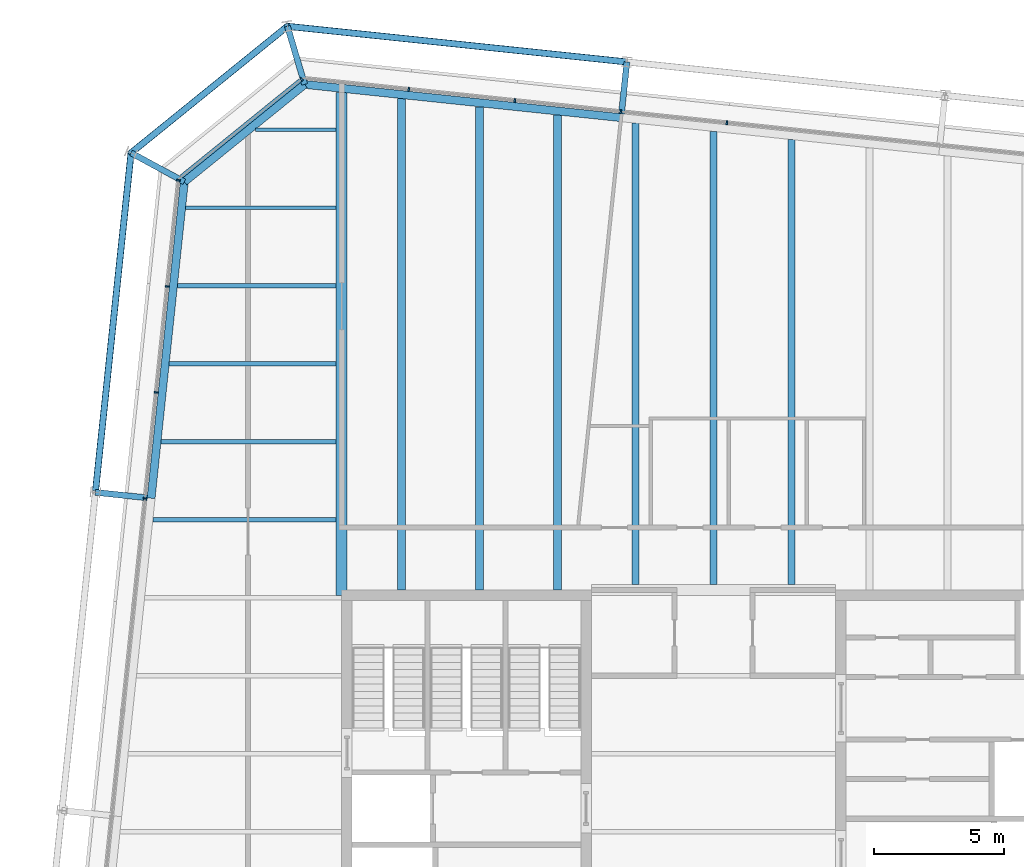
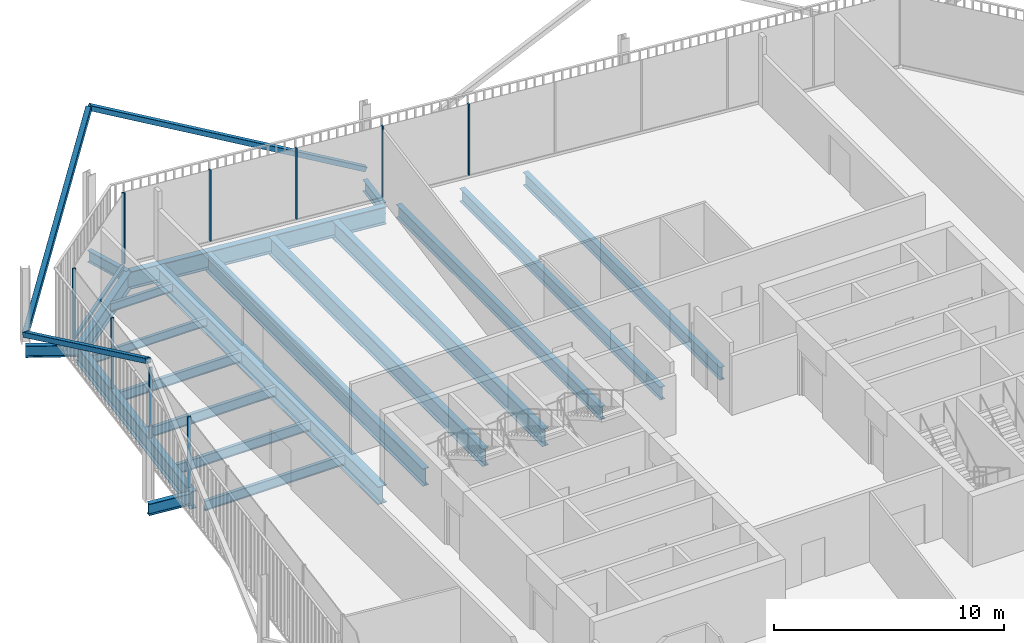
# One storey, part 12 of 21: 20 beams, 13 members, 3 elements without a shape of their own.
"""IFC4 building model written with IfcOpenShell, lengths in metres."""

from ifc_helpers import new_model, si_unit, direction, frame, origin, origin_2d, place, context, subcontext, project, spatial, rectangle, hollow_rectangle, i_section, extrude, material, layer, layer_set, material_profile, profile_set, type_object, element, aggregate, save


model = new_model("IFC4")

# Units and contexts
model_context = context("Model", 3, precision=1e-05, world=origin(), true_north=direction((0.0, 1.0)))
body_context = subcontext(model_context, "Body", "Model", "MODEL_VIEW")
ifc_project = project(units=[si_unit("LENGTHUNIT", "METRE"), si_unit("AREAUNIT", "SQUARE_METRE"), si_unit("VOLUMEUNIT", "CUBIC_METRE"), si_unit("PLANEANGLEUNIT", "RADIAN"), si_unit("MASSUNIT", "GRAM", prefix="KILO")], contexts=[model_context])

# Site, building, storey
site_placement = place(None, origin())
site = spatial("IfcSite", under=ifc_project, at=site_placement, CompositionType="ELEMENT")
building_placement = place(site_placement, origin())
building = spatial("IfcBuilding", under=site, at=building_placement, Name="Millrace Tower", CompositionType="ELEMENT")
storey_placement = place(building_placement, frame((0.0, 0.0, 318.699951171875)))
storey = spatial("IfcBuildingStorey", under=building, at=storey_placement, Name="L73", CompositionType="ELEMENT", Elevation=318.699951171875)

# Curtain wall, members
ifc_material_1 = material(Name="Aluminium and glass", Category="aluminium")
ifc_layer = layer(ifc_material_1, 0.14990234375)
ifc_layer_set = layer_set([ifc_layer], Name="Aluminium and glass")
curtain_wall_type = type_object("IfcCurtainWallType", Name="CW-1 office vision curtain wall", PredefinedType="NOTDEFINED", material=ifc_layer_set)
placement = place(storey_placement, origin())
curtain_wall_1 = element("IfcCurtainWall", 1, at=placement, inside=storey, type_object=curtain_wall_type, Name="Curtain wall E-F06 L73", PredefinedType="NOTDEFINED")
ifc_material_2 = material(Name="Aluminium", Category="aluminium")
ifc_material_profile_1 = material_profile(ifc_material_2, rectangle(XDim=0.06494140625, YDim=0.14990234375, at=origin_2d()))
ifc_profile_set_1 = profile_set([ifc_material_profile_1], Name="Aluminium")
member_type_1 = type_object("IfcMemberType", Name="CW-1 office vision curtain wall mullion", PredefinedType="MULLION", material=ifc_profile_set_1)
member_1_placement = place(storey_placement, frame((0.514892578125, 27.267578125, 0.14013671875), z_axis=(0.0, 0.0, 1.0), x_axis=(-0.994521896217, 0.104528455196, 0.0)))
member_1 = element("IfcMember", 2, at=member_1_placement, type_object=member_type_1, Name="CW1 mullion E-F06.6", PredefinedType="MULLION", context=body_context, shape_type="SweptSolid", body=[
    extrude(rectangle(XDim=0.06494140625, YDim=0.14990234375, at=origin_2d()), origin(), (0.0, 0.0, 1.0), 3.760009765625),
])
member_2_placement = place(storey_placement, frame((-3.562744140625, 27.6962890625, 0.14013671875), z_axis=(0.0, 0.0, 1.0), x_axis=(-0.994521896217, 0.104528455196, 0.0)))
member_2 = element("IfcMember", 3, at=member_2_placement, type_object=member_type_1, Name="CW1 mullion E-F06.7", PredefinedType="MULLION", context=body_context, shape_type="SweptSolid", body=[
    extrude(rectangle(XDim=0.06494140625, YDim=0.14990234375, at=origin_2d()), origin(), (0.0, 0.0, 1.0), 3.760009765625),
])
member_3_placement = place(storey_placement, frame((-7.640380859375, 28.124755859375, 0.14013671875), z_axis=(0.0, 0.0, 1.0), x_axis=(-0.994521896217, 0.104528455196, 0.0)))
member_3 = element("IfcMember", 4, at=member_3_placement, type_object=member_type_1, Name="CW1 mullion E-F06.8", PredefinedType="MULLION", context=body_context, shape_type="SweptSolid", body=[
    extrude(rectangle(XDim=0.06494140625, YDim=0.14990234375, at=origin_2d()), origin(), (0.0, 0.0, 1.0), 3.760009765625),
])
member_4_placement = place(storey_placement, frame((-11.7177734375, 28.55322265625, 0.14013671875), z_axis=(0.0, 0.0, 1.0), x_axis=(-0.994521896217, 0.104528455196, 0.0)))
member_4 = element("IfcMember", 5, at=member_4_placement, type_object=member_type_1, Name="CW1 mullion E-F06.9", PredefinedType="MULLION", context=body_context, shape_type="SweptSolid", body=[
    extrude(rectangle(XDim=0.06494140625, YDim=0.14990234375, at=origin_2d()), origin(), (0.0, 0.0, 1.0), 3.760009765625),
])
aggregate(curtain_wall_1, [member_1, member_2, member_3, member_4])

# Curtain wall, member
curtain_wall_2 = element("IfcCurtainWall", 6, at=placement, inside=storey, type_object=curtain_wall_type, Name="Curtain wall E-F07 L73", PredefinedType="NOTDEFINED")
member_5_placement = place(storey_placement, frame((-15.84326171875, 28.941650390625, 0.14013671875), z_axis=(0.0, 0.0, 1.0), x_axis=(-0.777146052237, -0.629320278945, 0.0)))
member_5 = element("IfcMember", 7, at=member_5_placement, type_object=member_type_1, Name="CW1 mullion E-F07.1", PredefinedType="MULLION", context=body_context, shape_type="SweptSolid", body=[
    extrude(rectangle(XDim=0.06494140625, YDim=0.14990234375, at=origin_2d()), origin(), (0.0, 0.0, 1.0), 3.760009765625),
])

# Curtain wall, members
curtain_wall_3 = element("IfcCurtainWall", 8, at=placement, inside=storey, type_object=curtain_wall_type, Name="Curtain wall E-F08 L73", PredefinedType="NOTDEFINED")
member_6_placement = place(storey_placement, frame((-20.57470703125, 25.052490234375, 0.14013671875), z_axis=(0.0, 0.0, 1.0), x_axis=(-0.104528455196, -0.994521896217, 0.0)))
member_6 = element("IfcMember", 9, at=member_6_placement, type_object=member_type_1, Name="CW1 mullion E-F08.1", PredefinedType="MULLION", context=body_context, shape_type="SweptSolid", body=[
    extrude(rectangle(XDim=0.06494140625, YDim=0.14990234375, at=origin_2d()), origin(), (0.0, 0.0, 1.0), 3.760009765625),
])
member_7_placement = place(storey_placement, frame((-21.00341796875, 20.974853515625, 0.14013671875), z_axis=(0.0, 0.0, 1.0), x_axis=(-0.104528455196, -0.994521896217, 0.0)))
member_7 = element("IfcMember", 10, at=member_7_placement, type_object=member_type_1, Name="CW1 mullion E-F08.2", PredefinedType="MULLION", context=body_context, shape_type="SweptSolid", body=[
    extrude(rectangle(XDim=0.06494140625, YDim=0.14990234375, at=origin_2d()), origin(), (0.0, 0.0, 1.0), 3.760009765625),
])
member_8_placement = place(storey_placement, frame((-21.431884765625, 16.8974609375, 0.14013671875), z_axis=(0.0, 0.0, 1.0), x_axis=(-0.104528455196, -0.994521896217, 0.0)))
member_8 = element("IfcMember", 11, at=member_8_placement, type_object=member_type_1, Name="CW1 mullion E-F08.3", PredefinedType="MULLION", context=body_context, shape_type="SweptSolid", body=[
    extrude(rectangle(XDim=0.06494140625, YDim=0.14990234375, at=origin_2d()), origin(), (0.0, 0.0, 1.0), 3.760009765625),
])
member_9_placement = place(storey_placement, frame((-21.860595703125, 12.81982421875, 0.14013671875), z_axis=(0.0, 0.0, 1.0), x_axis=(-0.104528455196, -0.994521896217, 0.0)))
member_9 = element("IfcMember", 12, at=member_9_placement, type_object=member_type_1, Name="CW1 mullion E-F08.4", PredefinedType="MULLION", context=body_context, shape_type="SweptSolid", body=[
    extrude(rectangle(XDim=0.06494140625, YDim=0.14990234375, at=origin_2d()), origin(), (0.0, 0.0, 1.0), 3.760009765625),
])
aggregate(curtain_wall_3, [member_6, member_7, member_8, member_9])

# Member
ifc_material_3 = material(Name="Aluminium", Category="aluminium")
ifc_material_profile_2 = material_profile(ifc_material_3, rectangle(XDim=0.14990234375, YDim=0.139892578125, at=origin_2d()))
ifc_profile_set_2 = profile_set([ifc_material_profile_2], Name="Aluminium")
member_type_2 = type_object("IfcMemberType", Name="CW-1 office vision curtain wall transom", PredefinedType="USERDEFINED", material=ifc_profile_set_2)
member_10_placement = place(storey_placement, frame((-15.895751953125, 28.899169921875, 0.070068359375), z_axis=(-0.777165591695, -0.629296148951, 0.0), x_axis=(0.629296148951, -0.777165591695, 0.0)))
member_10 = element("IfcMember", 13, at=member_10_placement, type_object=member_type_2, Name="CW1 transom E-F07.1", ObjectType="TRANSOM", PredefinedType="USERDEFINED", context=body_context, shape_type="SweptSolid", body=[
    extrude(rectangle(XDim=0.14990234375, YDim=0.139892578125, at=origin_2d()), origin(), (0.0, 0.0, 1.0), 5.881103515625),
])

aggregate(curtain_wall_2, [member_5, member_10])

# Members
ifc_material_4 = material(Name="Steel ASTM A500 Grade C", Category="steel")
ifc_material_profile_3 = material_profile(ifc_material_4, hollow_rectangle(XDim=0.25390625, YDim=0.25390625, WallThickness=0.009521484375, InnerFilletRadius=0.004638671875, OuterFilletRadius=0.014404296875, at=origin_2d()))
ifc_profile_set_3 = profile_set([ifc_material_profile_3], Name="Steel ASTM A500 Grade C")
member_type_3 = type_object("IfcMemberType", Name="Exoskeleton brace HSS10x10x3/8", PredefinedType="BRACE", material=ifc_profile_set_3)
member_11_placement = place(storey_placement, frame((-3.329345703125, 29.607177734375, 0.400146484375), z_axis=(-0.877568210125, 0.092238278747, 0.470495628578), x_axis=(-0.104530865473, -0.994521642883, 0.0)))
element("IfcMember", 14, at=member_11_placement, inside=storey, type_object=member_type_3, Name="BRC-E-L73-12", PredefinedType="BRACE", context=body_context, shape_type="SweptSolid", body=[
    extrude(hollow_rectangle(XDim=0.25390625, YDim=0.25390625, WallThickness=0.009521484375, InnerFilletRadius=0.004638671875, OuterFilletRadius=0.014404296875, at=origin_2d()), origin(), (0.0, 0.0, 1.0), 14.8779296875),
])
member_12_placement = place(storey_placement, frame((-22.399169921875, 26.10986328125, 0.400146484375), z_axis=(0.57631352586, 0.466694392708, 0.670864415308), x_axis=(-0.62932438279, 0.777142728993, 0.0)))
element("IfcMember", 15, at=member_12_placement, inside=storey, type_object=member_type_3, Name="BRC-E-L73-13", PredefinedType="BRACE", context=body_context, shape_type="SweptSolid", body=[
    extrude(hollow_rectangle(XDim=0.25390625, YDim=0.25390625, WallThickness=0.009521484375, InnerFilletRadius=0.004638671875, OuterFilletRadius=0.014404296875, at=origin_2d()), origin(), (0.0, 0.0, 1.0), 10.434326171875),
])
member_13_placement = place(storey_placement, frame((-22.399169921875, 26.10986328125, 0.400146484375), z_axis=(-0.092238278747, -0.877568210125, 0.470495628578), x_axis=(0.994521642883, -0.104530865473, 0.0)))
element("IfcMember", 16, at=member_13_placement, inside=storey, type_object=member_type_3, Name="BRC-E-L73-14", PredefinedType="BRACE", context=body_context, shape_type="SweptSolid", body=[
    extrude(hollow_rectangle(XDim=0.25390625, YDim=0.25390625, WallThickness=0.009521484375, InnerFilletRadius=0.004638671875, OuterFilletRadius=0.014404296875, at=origin_2d()), origin(), (0.0, 0.0, 1.0), 14.8779296875),
])

# Beams
ifc_material_5 = material(Name="Steel ASTM A992 Grade 50", Category="steel")
ifc_material_profile_4 = material_profile(ifc_material_5, i_section(OverallWidth=0.15234375, OverallDepth=0.449462890625, WebThickness=0.007568359375, FlangeThickness=0.0107421875, FilletRadius=0.01025390625, at=origin_2d()))
ifc_profile_set_4 = profile_set([ifc_material_profile_4], Name="Steel ASTM A992 Grade 50")
beam_type_1 = type_object("IfcBeamType", Name="Floor beam W18x35", PredefinedType="JOIST", material=ifc_profile_set_4)
beam_1_placement = place(storey_placement, frame((-20.301025390625, 24.0, -0.384765625), z_axis=(1.0, 0.0, 0.0), x_axis=(0.0, 1.0, 0.0)))
element("IfcBeam", 17, at=beam_1_placement, inside=storey, type_object=beam_type_1, Name="BM-E-L73-S1-S033", PredefinedType="JOIST", context=body_context, shape_type="SweptSolid", body=[
    extrude(i_section(OverallWidth=0.15234375, OverallDepth=0.449462890625, WebThickness=0.007568359375, FlangeThickness=0.0107421875, FilletRadius=0.01025390625, at=origin_2d()), origin(), (0.0, 0.0, 1.0), 5.79150390625),
])
beam_2_placement = place(storey_placement, frame((-17.609619140625, 27.0, -0.384765625), z_axis=(1.0, 0.0, 0.0), x_axis=(0.0, 1.0, 0.0)))
element("IfcBeam", 18, at=beam_2_placement, inside=storey, type_object=beam_type_1, Name="BM-E-L73-S1-S035", PredefinedType="JOIST", context=body_context, shape_type="SweptSolid", body=[
    extrude(i_section(OverallWidth=0.15234375, OverallDepth=0.449462890625, WebThickness=0.007568359375, FlangeThickness=0.0107421875, FilletRadius=0.01025390625, at=origin_2d()), origin(), (0.0, 0.0, 1.0), 3.10009765625),
])
ifc_material_6 = material(Name="Steel ASTM A992 Grade 50", Category="steel")
ifc_material_profile_5 = material_profile(ifc_material_6, i_section(OverallWidth=0.1650390625, OverallDepth=0.52587890625, WebThickness=0.0087890625, FlangeThickness=0.011474609375, FilletRadius=0.0126953125, at=origin_2d()))
ifc_profile_set_5 = profile_set([ifc_material_profile_5], Name="Steel ASTM A992 Grade 50")
beam_type_2 = type_object("IfcBeamType", Name="Floor beam W21x44", PredefinedType="JOIST", material=ifc_profile_set_5)
beam_3_placement = place(storey_placement, frame((-21.562255859375, 12.0, -0.4228515625), z_axis=(1.0, 0.0, 0.0), x_axis=(0.0, 1.0, 0.0)))
element("IfcBeam", 19, at=beam_3_placement, inside=storey, type_object=beam_type_2, Name="BM-E-L73-S1-S025", PredefinedType="JOIST", context=body_context, shape_type="SweptSolid", body=[
    extrude(i_section(OverallWidth=0.1650390625, OverallDepth=0.52587890625, WebThickness=0.0087890625, FlangeThickness=0.011474609375, FilletRadius=0.0126953125, at=origin_2d()), origin(), (0.0, 0.0, 1.0), 7.052734375),
])
beam_4_placement = place(storey_placement, frame((-21.246826171875, 15.0, -0.4228515625), z_axis=(1.0, 0.0, 0.0), x_axis=(0.0, 1.0, 0.0)))
element("IfcBeam", 20, at=beam_4_placement, inside=storey, type_object=beam_type_2, Name="BM-E-L73-S1-S027", PredefinedType="JOIST", context=body_context, shape_type="SweptSolid", body=[
    extrude(i_section(OverallWidth=0.1650390625, OverallDepth=0.52587890625, WebThickness=0.0087890625, FlangeThickness=0.011474609375, FilletRadius=0.0126953125, at=origin_2d()), origin(), (0.0, 0.0, 1.0), 6.7373046875),
])
beam_5_placement = place(storey_placement, frame((-20.931640625, 18.0, -0.4228515625), z_axis=(1.0, 0.0, 0.0), x_axis=(0.0, 1.0, 0.0)))
element("IfcBeam", 21, at=beam_5_placement, inside=storey, type_object=beam_type_2, Name="BM-E-L73-S1-S029", PredefinedType="JOIST", context=body_context, shape_type="SweptSolid", body=[
    extrude(i_section(OverallWidth=0.1650390625, OverallDepth=0.52587890625, WebThickness=0.0087890625, FlangeThickness=0.011474609375, FilletRadius=0.0126953125, at=origin_2d()), origin(), (0.0, 0.0, 1.0), 6.422119140625),
])
beam_6_placement = place(storey_placement, frame((-20.6162109375, 21.0, -0.4228515625), z_axis=(1.0, 0.0, 0.0), x_axis=(0.0, 1.0, 0.0)))
element("IfcBeam", 22, at=beam_6_placement, inside=storey, type_object=beam_type_2, Name="BM-E-L73-S1-S031", PredefinedType="JOIST", context=body_context, shape_type="SweptSolid", body=[
    extrude(i_section(OverallWidth=0.1650390625, OverallDepth=0.52587890625, WebThickness=0.0087890625, FlangeThickness=0.011474609375, FilletRadius=0.0126953125, at=origin_2d()), origin(), (0.0, 0.0, 1.0), 6.106689453125),
])
ifc_material_7 = material(Name="Steel ASTM A992 Grade 50", Category="steel")
ifc_material_profile_6 = material_profile(ifc_material_7, i_section(OverallWidth=0.256591796875, OverallDepth=0.693359375, WebThickness=0.014404296875, FlangeThickness=0.023681640625, FilletRadius=0.01513671875, at=origin_2d()))
ifc_profile_set_6 = profile_set([ifc_material_profile_6], Name="Steel ASTM A992 Grade 50")
beam_type_3 = type_object("IfcBeamType", Name="Floor beam W27x114", PredefinedType="JOIST", material=ifc_profile_set_6)
beam_7_placement = place(storey_placement, frame((-3.0, 9.509521484375, -0.506591796875), z_axis=(0.0, 1.0, 0.0), x_axis=(-1.0, 0.0, 0.0)))
element("IfcBeam", 23, at=beam_7_placement, inside=storey, type_object=beam_type_3, Name="BM-E-L73-S1-S042", PredefinedType="JOIST", context=body_context, shape_type="SweptSolid", body=[
    extrude(i_section(OverallWidth=0.256591796875, OverallDepth=0.693359375, WebThickness=0.014404296875, FlangeThickness=0.023681640625, FilletRadius=0.01513671875, at=origin_2d()), origin(), (0.0, 0.0, 1.0), 17.7431640625),
])
beam_8_placement = place(storey_placement, frame((0.0, 9.509521484375, -0.506591796875), z_axis=(0.0, 1.0, 0.0), x_axis=(-1.0, 0.0, 0.0)))
element("IfcBeam", 24, at=beam_8_placement, inside=storey, type_object=beam_type_3, Name="BM-E-L73-S1-S044", PredefinedType="JOIST", context=body_context, shape_type="SweptSolid", body=[
    extrude(i_section(OverallWidth=0.256591796875, OverallDepth=0.693359375, WebThickness=0.014404296875, FlangeThickness=0.023681640625, FilletRadius=0.01513671875, at=origin_2d()), origin(), (0.0, 0.0, 1.0), 17.427734375),
])
beam_9_placement = place(storey_placement, frame((3.0, 9.509521484375, -0.506591796875), z_axis=(0.0, 1.0, 0.0), x_axis=(-1.0, 0.0, 0.0)))
element("IfcBeam", 25, at=beam_9_placement, inside=storey, type_object=beam_type_3, Name="BM-E-L73-S1-S046", PredefinedType="JOIST", context=body_context, shape_type="SweptSolid", body=[
    extrude(i_section(OverallWidth=0.256591796875, OverallDepth=0.693359375, WebThickness=0.014404296875, FlangeThickness=0.023681640625, FilletRadius=0.01513671875, at=origin_2d()), origin(), (0.0, 0.0, 1.0), 17.112548828125),
])
ifc_material_8 = material(Name="Steel ASTM A992 Grade 50", Category="steel")
ifc_material_profile_7 = material_profile(ifc_material_8, i_section(OverallWidth=0.307373046875, OverallDepth=0.927001953125, WebThickness=0.01953125, FlangeThickness=0.031982421875, FilletRadius=0.01904296875, at=origin_2d()))
ifc_profile_set_7 = profile_set([ifc_material_profile_7], Name="Steel ASTM A992 Grade 50")
beam_type_4 = type_object("IfcBeamType", Name="Floor beam W36x194", PredefinedType="JOIST", material=ifc_profile_set_7)
beam_10_placement = place(storey_placement, frame((-12.0, 9.300048828125, -0.62353515625), z_axis=(0.0, 1.0, 0.0), x_axis=(-1.0, 0.0, 0.0)))
element("IfcBeam", 26, at=beam_10_placement, inside=storey, type_object=beam_type_4, Name="BM-E-L73-S1-S036", PredefinedType="JOIST", context=body_context, shape_type="SweptSolid", body=[
    extrude(i_section(OverallWidth=0.307373046875, OverallDepth=0.927001953125, WebThickness=0.01953125, FlangeThickness=0.031982421875, FilletRadius=0.01904296875, at=origin_2d()), origin(), (0.0, 0.0, 1.0), 18.8984375),
])
beam_11_placement = place(storey_placement, frame((-9.0, 9.300048828125, -0.62353515625), z_axis=(0.0, 1.0, 0.0), x_axis=(-1.0, 0.0, 0.0)))
element("IfcBeam", 27, at=beam_11_placement, inside=storey, type_object=beam_type_4, Name="BM-E-L73-S1-S038", PredefinedType="JOIST", context=body_context, shape_type="SweptSolid", body=[
    extrude(i_section(OverallWidth=0.307373046875, OverallDepth=0.927001953125, WebThickness=0.01953125, FlangeThickness=0.031982421875, FilletRadius=0.01904296875, at=origin_2d()), origin(), (0.0, 0.0, 1.0), 18.583251953125),
])
beam_12_placement = place(storey_placement, frame((-6.0, 9.300048828125, -0.62353515625), z_axis=(0.0, 1.0, 0.0), x_axis=(-1.0, 0.0, 0.0)))
element("IfcBeam", 28, at=beam_12_placement, inside=storey, type_object=beam_type_4, Name="BM-E-L73-S1-S040", PredefinedType="JOIST", context=body_context, shape_type="SweptSolid", body=[
    extrude(i_section(OverallWidth=0.307373046875, OverallDepth=0.927001953125, WebThickness=0.01953125, FlangeThickness=0.031982421875, FilletRadius=0.01904296875, at=origin_2d()), origin(), (0.0, 0.0, 1.0), 18.267822265625),
])
ifc_material_9 = material(Name="Steel ASTM A992 Grade 50", Category="steel")
ifc_material_profile_8 = material_profile(ifc_material_9, i_section(OverallWidth=0.424072265625, OverallDepth=0.947509765625, WebThickness=0.02392578125, FlangeThickness=0.042724609375, FilletRadius=0.024169921875, at=origin_2d()))
ifc_profile_set_8 = profile_set([ifc_material_profile_8], Name="Steel ASTM A992 Grade 50")
beam_type_5 = type_object("IfcBeamType", Name="Girder medium span W36x302", PredefinedType="BEAM", material=ifc_profile_set_8)
beam_13_placement = place(storey_placement, frame((-14.300048828125, 9.083984375, -0.633544921875), z_axis=(0.0, 1.0, 0.0), x_axis=(-1.0, 0.0, 0.0)))
element("IfcBeam", 29, at=beam_13_placement, inside=storey, type_object=beam_type_5, Name="BM-E-L73-S1-G054", PredefinedType="BEAM", context=body_context, shape_type="SweptSolid", body=[
    extrude(i_section(OverallWidth=0.424072265625, OverallDepth=0.947509765625, WebThickness=0.02392578125, FlangeThickness=0.042724609375, FilletRadius=0.024169921875, at=origin_2d()), origin(), (0.0, 0.0, 1.0), 19.356201171875),
])
ifc_material_10 = material(Name="Steel ASTM A992 Grade 50", Category="steel")
ifc_material_profile_9 = material_profile(ifc_material_10, i_section(OverallWidth=0.23046875, OverallDepth=0.6171875, WebThickness=0.01318359375, FlangeThickness=0.022216796875, FilletRadius=0.012939453125, at=origin_2d()))
ifc_profile_set_9 = profile_set([ifc_material_profile_9], Name="Steel ASTM A992 Grade 50")
beam_type_6 = type_object("IfcBeamType", Name="Link beam W24x94", PredefinedType="BEAM", material=ifc_profile_set_9)
beam_14_placement = place(storey_placement, frame((-21.782470703125, 12.84423828125, -0.468505859375), z_axis=(-0.994512808172, 0.104614886044, 0.0), x_axis=(-0.104614886044, -0.994512808172, 0.0)))
element("IfcBeam", 30, at=beam_14_placement, inside=storey, type_object=beam_type_6, Name="LNK-E-L73-S1-03", PredefinedType="BEAM", context=body_context, shape_type="SweptSolid", body=[
    extrude(i_section(OverallWidth=0.23046875, OverallDepth=0.6171875, WebThickness=0.01318359375, FlangeThickness=0.022216796875, FilletRadius=0.012939453125, at=origin_2d()), origin(), (0.0, 0.0, 1.0), 2.0),
])
for number, where, z_axis, x_axis, name in (
    (31, (-20.3505859375, 24.99755859375, -0.468505859375), (-0.87881453358, 0.477163510307, 0.0), (-0.477163510307, -0.87881453358, 0.0), "LNK-E-L73-S1-04"),
    (32, (-15.7236328125, 28.744384765625, -0.468505859375), (-0.284031275065, 0.958815015936, 0.0), (-0.958815015936, -0.284031275065, 0.0), "LNK-E-L73-S1-05"),
):
    element("IfcBeam", number, at=place(storey_placement, frame(where, z_axis=z_axis, x_axis=x_axis)), inside=storey, type_object=beam_type_6, Name=name, PredefinedType="BEAM", context=body_context, shape_type="SweptSolid", body=[
        extrude(i_section(OverallWidth=0.23046875, OverallDepth=0.6171875, WebThickness=0.01318359375, FlangeThickness=0.022216796875, FilletRadius=0.012939453125, at=origin_2d()), origin(), (0.0, 0.0, 1.0), 2.3310546875),
    ])
beam_15_placement = place(storey_placement, frame((-3.538330078125, 27.6181640625, -0.468505859375), z_axis=(0.104494148666, 0.99452550138, 0.0), x_axis=(-0.99452550138, 0.104494148666, 0.0)))
element("IfcBeam", 33, at=beam_15_placement, inside=storey, type_object=beam_type_6, Name="LNK-E-L73-S1-06", PredefinedType="BEAM", context=body_context, shape_type="SweptSolid", body=[
    extrude(i_section(OverallWidth=0.23046875, OverallDepth=0.6171875, WebThickness=0.01318359375, FlangeThickness=0.022216796875, FilletRadius=0.012939453125, at=origin_2d()), origin(), (0.0, 0.0, 1.0), 2.0),
])
ifc_material_11 = material(Name="Steel ASTM A992 Grade 50", Category="steel")
ifc_material_profile_10 = material_profile(ifc_material_11, i_section(OverallWidth=0.307373046875, OverallDepth=0.927001953125, WebThickness=0.01953125, FlangeThickness=0.031982421875, FilletRadius=0.01904296875, at=origin_2d()))
ifc_profile_set_10 = profile_set([ifc_material_profile_10], Name="Steel ASTM A992 Grade 50")
beam_type_7 = type_object("IfcBeamType", Name="Ring beam medium span W36x194", PredefinedType="SPANDREL", material=ifc_profile_set_10)
for number, where, z_axis, x_axis, name in (
    (34, (-21.629638671875, 12.828369140625, -0.62353515625), (0.104530030035, 0.994521730693, 0.0), (-0.994521730693, 0.104530030035, 0.0), "RNG-E-L73-S1-03"),
    (35, (-15.7236328125, 28.744384765625, -0.62353515625), (0.994521730693, -0.104530030035, 0.0), (0.104530030035, 0.994521730693, 0.0), "RNG-E-L73-S1-05"),
):
    element("IfcBeam", number, at=place(storey_placement, frame(where, z_axis=z_axis, x_axis=x_axis)), inside=storey, type_object=beam_type_7, Name=name, PredefinedType="SPANDREL", context=body_context, shape_type="SweptSolid", body=[
        extrude(i_section(OverallWidth=0.307373046875, OverallDepth=0.927001953125, WebThickness=0.01953125, FlangeThickness=0.031982421875, FilletRadius=0.01904296875, at=origin_2d()), origin(), (0.0, 0.0, 1.0), 12.236328125),
    ])
ifc_material_12 = material(Name="Steel ASTM A992 Grade 50", Category="steel")
ifc_material_profile_11 = material_profile(ifc_material_12, i_section(OverallWidth=0.307373046875, OverallDepth=0.927001953125, WebThickness=0.01953125, FlangeThickness=0.031982421875, FilletRadius=0.01904296875, at=origin_2d()))
ifc_profile_set_11 = profile_set([ifc_material_profile_11], Name="Steel ASTM A992 Grade 50")
beam_type_8 = type_object("IfcBeamType", Name="Ring beam short span W36x194", PredefinedType="SPANDREL", material=ifc_profile_set_11)
beam_16_placement = place(storey_placement, frame((-20.3505859375, 24.99755859375, -0.62353515625), z_axis=(0.777146502883, 0.629319722443, 0.0), x_axis=(-0.629319722443, 0.777146502883, 0.0)))
element("IfcBeam", 36, at=beam_16_placement, inside=storey, type_object=beam_type_8, Name="RNG-E-L73-S1-04", PredefinedType="SPANDREL", context=body_context, shape_type="SweptSolid", body=[
    extrude(i_section(OverallWidth=0.307373046875, OverallDepth=0.927001953125, WebThickness=0.01953125, FlangeThickness=0.031982421875, FilletRadius=0.01904296875, at=origin_2d()), origin(), (0.0, 0.0, 1.0), 5.953857421875),
])

save(model, "model.ifc")
